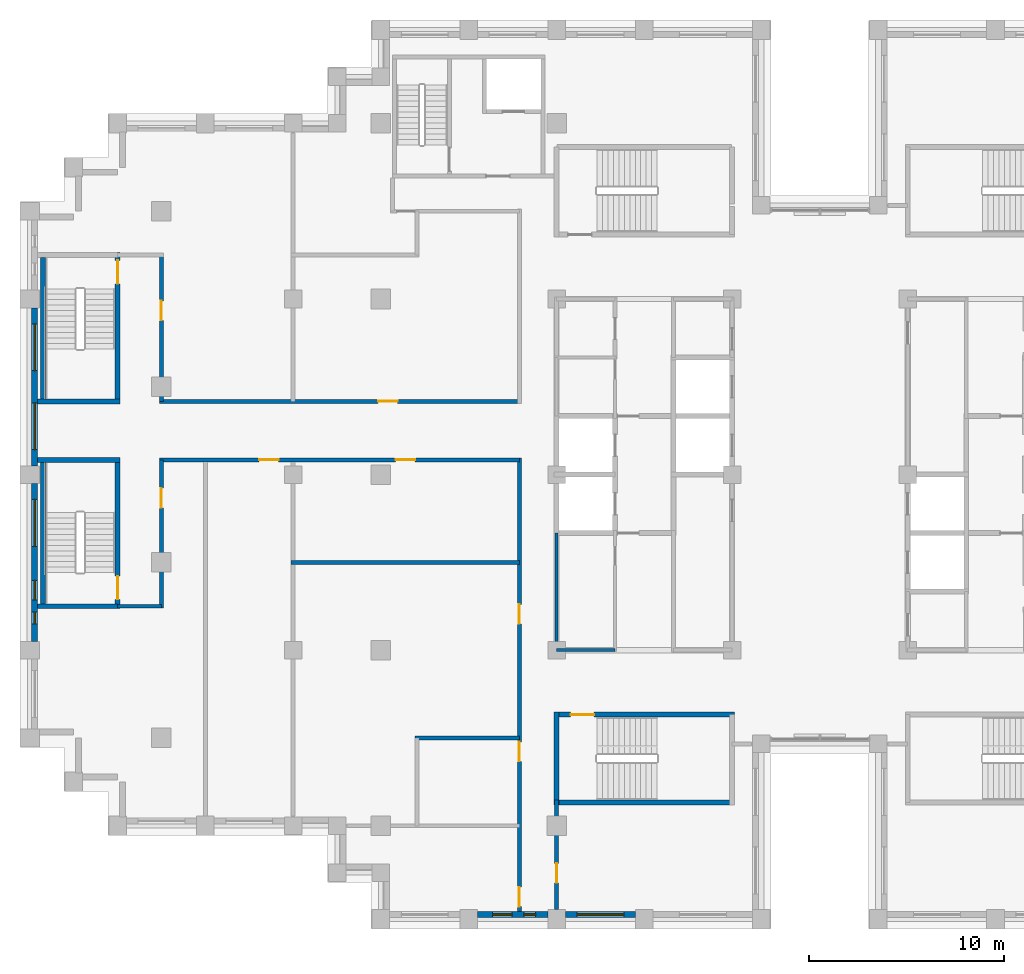
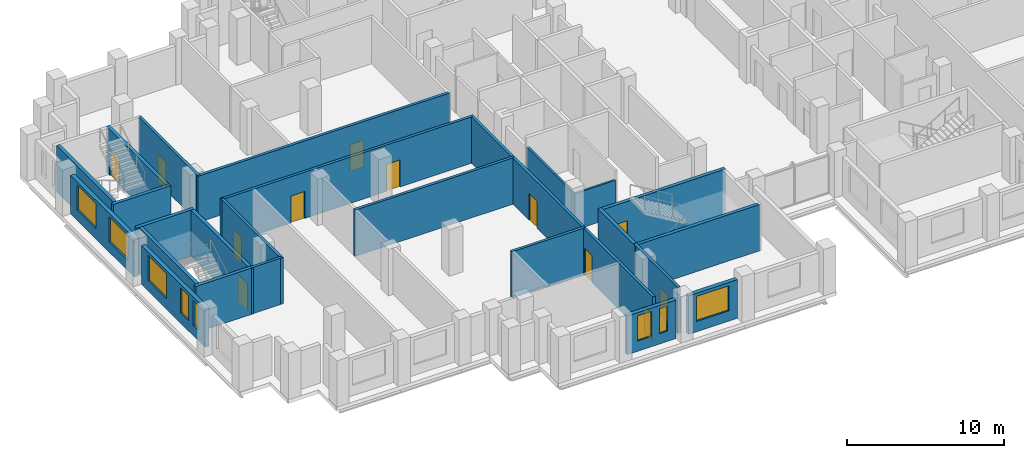
# One storey, part 6 of 15: 25 walls, 12 doors, 8 windows, 20 openings.
"""IFC4 building model written with IfcOpenShell, lengths in metres."""

import ifcopenshell
import ifcopenshell.guid

model = None  # the IFC model being written
_history = None  # IfcOwnerHistory: only IFC2X3 demands one
_inside = {}  # id of a spatial element -> (the spatial element, [elements in it])
_under = {}  # id of a project, library or spatial element -> (it, [spatial elements below it])
_declared = {}  # id of a project -> (the project, [libraries it declares])
_typed = {}  # id of a type object -> (the type object, [elements of that type])
_made_of = {}  # id of a material, layer set ... -> (it, [elements and type objects made of it])


def new_model(schema):
    """Start an empty IFC model of exactly this schema.

    Asked for "IFC4X3", IfcOpenShell would pick the latest addendum, in which some entities
    have other attributes; the version numbers below select the first issue.
    IFC2X3 requires an IfcOwnerHistory on every rooted entity: one is made here for all.
    """
    global model, _history
    if schema == "IFC4X3":
        model = ifcopenshell.file(schema_version=(4, 3, 0, 0))
    else:
        model = ifcopenshell.file(schema=schema)
    _inside.clear()
    _under.clear()
    _declared.clear()
    _typed.clear()
    _made_of.clear()
    _history = None
    if model.schema == "IFC2X3":
        org = make("IfcOrganization", Name="unknown")
        user = make(
            "IfcPersonAndOrganization",
            ThePerson=make("IfcPerson", FamilyName="unknown"),
            TheOrganization=org,
        )
        app = make(
            "IfcApplication",
            ApplicationDeveloper=org,
            Version="unknown",
            ApplicationFullName="unknown",
            ApplicationIdentifier="unknown",
        )
        _history = make(
            "IfcOwnerHistory",
            OwningUser=user,
            OwningApplication=app,
            ChangeAction="ADDED",
            CreationDate=0,
        )
    return model


def make(cls, **values):
    """One entity of the class cls with the attributes given. An attribute that is None is left unset."""
    return model.create_entity(
        cls, **{name: value for name, value in values.items() if value is not None}
    )


def rooted(cls, **values):
    """An entity with a GlobalId (a new one), such as an element, a storey or a relation."""
    return make(cls, GlobalId=ifcopenshell.guid.new(), OwnerHistory=_history, **values)


def si_unit(unit_type, name, prefix=None):
    """IfcSIUnit, for example si_unit("LENGTHUNIT", "METRE", prefix="MILLI")."""
    return make("IfcSIUnit", UnitType=unit_type, Prefix=prefix, Name=name)


def assignment(units):
    """IfcUnitAssignment: the units of a project."""
    return None if units is None else make("IfcUnitAssignment", Units=units)


def point(xyz):
    """IfcCartesianPoint."""
    return None if xyz is None else make("IfcCartesianPoint", Coordinates=xyz)


def direction(xyz):
    """IfcDirection."""
    return None if xyz is None else make("IfcDirection", DirectionRatios=xyz)


def frame(location, z_axis=None, x_axis=None):
    """IfcAxis2Placement3D, a coordinate frame: its origin and axes. An axis left out is left unset."""
    return make(
        "IfcAxis2Placement3D",
        Location=point(location),
        Axis=direction(z_axis),
        RefDirection=direction(x_axis),
    )


def frame_2d(location, x_axis=None):
    """IfcAxis2Placement2D, a coordinate frame in the plane: its origin and x axis."""
    return make(
        "IfcAxis2Placement2D", Location=point(location), RefDirection=direction(x_axis)
    )


def origin():
    """The frame at (0, 0, 0) with its axes left unset."""
    return frame((0.0, 0.0, 0.0))


def place(relative_to, where):
    """IfcLocalPlacement: puts the frame where relative to a parent placement (None: the world)."""
    return make(
        "IfcLocalPlacement", PlacementRelTo=relative_to, RelativePlacement=where
    )


def context(
    kind, dimensions, precision=None, world=None, true_north=None, identifier=None
):
    """IfcGeometricRepresentationContext, for example the 3D "Model" context."""
    return make(
        "IfcGeometricRepresentationContext",
        ContextIdentifier=identifier,
        ContextType=kind,
        CoordinateSpaceDimension=dimensions,
        Precision=precision,
        WorldCoordinateSystem=world,
        TrueNorth=true_north,
    )


def subcontext(parent, identifier, kind, view, scale=None):
    """IfcGeometricRepresentationSubContext, for example "Body" below "Model"."""
    return make(
        "IfcGeometricRepresentationSubContext",
        ContextIdentifier=identifier,
        ContextType=kind,
        ParentContext=parent,
        TargetScale=scale,
        TargetView=view,
    )


def project(units=None, contexts=None):
    """IfcProject with its units and contexts."""
    return rooted(
        "IfcProject",
        Name="project",
        RepresentationContexts=contexts,
        UnitsInContext=assignment(units),
    )


def spatial(cls, under=None, at=None, **own):
    """A site, building, storey or space (cls), placed at a placement, below another one or the project."""
    s = rooted(cls, ObjectPlacement=at, **own)
    if under is not None:
        _under.setdefault(under.id(), (under, []))[1].append(s)
    return s


def profile(cls, at=None, kind="AREA", **sizes):
    """A parametric profile (cls). Its sizes go by their IFC names, for example OverallWidth=200.0."""
    return make(cls, ProfileType=kind, Position=at, **sizes)


def rectangle(**sizes):
    """IfcRectangleProfileDef."""
    return profile("IfcRectangleProfileDef", **sizes)


def extrude(swept, where, along, depth):
    """IfcExtrudedAreaSolid: the profile swept, set in the frame where, extruded along a direction by depth."""
    return make(
        "IfcExtrudedAreaSolid",
        SweptArea=swept,
        Position=where,
        ExtrudedDirection=direction(along),
        Depth=depth,
    )


def shape(context_of_items, identifier, shape_type, items):
    """IfcShapeRepresentation: the items that make up one representation, for example the "Body"."""
    return make(
        "IfcShapeRepresentation",
        ContextOfItems=context_of_items,
        RepresentationIdentifier=identifier,
        RepresentationType=shape_type,
        Items=items,
    )


def material(Name=None, Category=None):
    """IfcMaterial."""
    return make("IfcMaterial", Name=Name, Category=Category)


def layer(
    of_material, thickness, ventilated=None, Name=None, Category=None, Priority=None
):
    """IfcMaterialLayer: one layer of a wall or slab, of a material (None: an air gap)."""
    return make(
        "IfcMaterialLayer",
        Material=of_material,
        LayerThickness=thickness,
        IsVentilated=ventilated,
        Name=Name,
        Category=Category,
        Priority=Priority,
    )


def layer_set(layers, Name=None):
    """IfcMaterialLayerSet."""
    return make("IfcMaterialLayerSet", MaterialLayers=layers, LayerSetName=Name)


def made_of(thing, what):
    """Note that an element or type object is made of a material, layer set ...; save() writes the relation."""
    if what is not None:
        _made_of.setdefault(what.id(), (what, []))[1].append(thing)
    return thing


def type_object(cls, material=None, **own):
    """A type object (cls), such as IfcWallType, which elements share."""
    return made_of(rooted(cls, **own), material)


def element(
    cls,
    number,
    at=None,
    inside=None,
    cuts=None,
    type_object=None,
    material=None,
    context=None,
    identifier="Body",
    shape_type=None,
    held_by="IfcProductDefinitionShape",
    body=None,
    shapes=None,
    **own,
):
    """One element of the class cls, such as IfcWall. Its Tag is "e" and its number.

    at: its placement. inside: the storey or other place that contains it. cuts: it is an
    opening in that element (IfcRelVoidsElement). A single representation is given by context,
    identifier, shape_type and body (its items); several are given by shapes. held_by: the class
    of the entity that holds the representations. save() writes the other relations.
    """
    e = rooted(cls, Tag="e%d" % number, ObjectPlacement=at, **own)
    if body is not None:
        shapes = [shape(context, identifier, shape_type, body)]
    if shapes is not None:
        e.Representation = make(held_by, Representations=shapes)
    if inside is not None:
        _inside.setdefault(inside.id(), (inside, []))[1].append(e)
    if cuts is not None:
        rooted(
            "IfcRelVoidsElement", RelatingBuildingElement=cuts, RelatedOpeningElement=e
        )
    if type_object is not None:
        _typed.setdefault(type_object.id(), (type_object, []))[1].append(e)
    return made_of(e, material)


def fill(opening, filler):
    """IfcRelFillsElement: the door or window that sits in an opening."""
    return rooted(
        "IfcRelFillsElement",
        RelatingOpeningElement=opening,
        RelatedBuildingElement=filler,
    )


def aggregate(whole, parts):
    """IfcRelAggregates: a whole, such as a stair, and the parts it consists of."""
    return rooted("IfcRelAggregates", RelatingObject=whole, RelatedObjects=parts)


def save(model, path):
    """Write the relations noted so far, then the file.

    IfcRelAggregates (storeys below a building ...), IfcRelContainedInSpatialStructure (elements
    in a storey), IfcRelDefinesByType, IfcRelAssociatesMaterial and IfcRelDeclares: one each for
    every whole, place, type object, material and project.
    """
    for whole, parts in _under.values():
        aggregate(whole, parts)
    for where, things in _inside.values():
        rooted(
            "IfcRelContainedInSpatialStructure",
            RelatedElements=things,
            RelatingStructure=where,
        )
    for kind, things in _typed.values():
        rooted("IfcRelDefinesByType", RelatedObjects=things, RelatingType=kind)
    for what, things in _made_of.values():
        rooted("IfcRelAssociatesMaterial", RelatedObjects=things, RelatingMaterial=what)
    for by, libraries in _declared.values():
        rooted("IfcRelDeclares", RelatingContext=by, RelatedDefinitions=libraries)
    model.write(path)


model = new_model("IFC4")

# Units and contexts
model_context = context("Model", 3, precision=1e-05, world=origin(), true_north=direction((0.0, 1.0)))
body_context = subcontext(model_context, "Body", "Model", "MODEL_VIEW")
ifc_project = project(units=[si_unit("LENGTHUNIT", "METRE"), si_unit("AREAUNIT", "SQUARE_METRE"), si_unit("VOLUMEUNIT", "CUBIC_METRE"), si_unit("PLANEANGLEUNIT", "RADIAN"), si_unit("MASSUNIT", "GRAM", prefix="KILO")], contexts=[model_context])

# Site, building, storey
site_placement = place(None, origin())
site = spatial("IfcSite", under=ifc_project, at=site_placement, CompositionType="ELEMENT")
building_placement = place(site_placement, origin())
building = spatial("IfcBuilding", under=site, at=building_placement, Name="Corbelhall Arena Tower", CompositionType="ELEMENT")
storey_placement = place(building_placement, frame((0.0, 0.0, 232.0)))
storey = spatial("IfcBuildingStorey", under=building, at=storey_placement, Name="L49", CompositionType="ELEMENT", Elevation=232.0)

# Wall, openings, windows
ifc_material_1 = material(Name="Precast concrete C40/50 with granite facing", Category="masonry")
ifc_layer_1 = layer(ifc_material_1, 0.300048828125)
ifc_layer_set_1 = layer_set([ifc_layer_1], Name="EV-IW1 Infill panel 300")
wall_type_1 = type_object("IfcWallType", Name="EV-IW1 Infill panel 300", PredefinedType="SOLIDWALL", material=ifc_layer_set_1)
wall_1_placement = place(storey_placement, frame((-40.25, 8.550048828125, 0.0), z_axis=(0.0, 0.0, 1.0), x_axis=(0.0, -1.0, 0.0)))
wall_1 = element("IfcWall", 1, at=wall_1_placement, inside=storey, type_object=wall_type_1, Name="Infill panel IW1", PredefinedType="SOLIDWALL", context=body_context, shape_type="SweptSolid", body=[
    extrude(rectangle(XDim=8.10009765625, YDim=0.300048828125, at=frame_2d((4.050048828125, 0.0))), origin(), (0.0, 0.0, 1.0), 2.99951171875),
])
opening_1_placement = place(wall_1_placement, frame((0.824951171875, 0.0, 0.800048828125)))
opening_1 = element("IfcOpeningElement", 2, at=opening_1_placement, cuts=wall_1, Name="Opening WN1", PredefinedType="OPENING", context=body_context, shape_type="SweptSolid", body=[
    extrude(rectangle(XDim=2.39990234375, YDim=1.949951171875, at=frame_2d((1.199951171875, 0.97509765625))), frame((0.0, 0.14990234375, 0.0), z_axis=(0.0, -1.0, 0.0), x_axis=(1.0, 0.0, 0.0)), (0.0, 0.0, 1.0), 0.300048828125),
])
opening_2_placement = place(wall_1_placement, frame((4.875, 0.0, 0.800048828125)))
opening_2 = element("IfcOpeningElement", 3, at=opening_2_placement, cuts=wall_1, Name="Opening WN1", PredefinedType="OPENING", context=body_context, shape_type="SweptSolid", body=[
    extrude(rectangle(XDim=2.39990234375, YDim=1.949951171875, at=frame_2d((1.199951171875, 0.97509765625))), frame((0.0, 0.14990234375, 0.0), z_axis=(0.0, -1.0, 0.0), x_axis=(1.0, 0.0, 0.0)), (0.0, 0.0, 1.0), 0.300048828125),
])
ifc_material_2 = material(Name="Aluminium black anodised", Category="aluminium")
window_type_1 = type_object("IfcWindowType", Name="EV-WN1 Office window", PartitioningType="SINGLE_PANEL", PredefinedType="WINDOW", material=ifc_material_2)
window_1_placement = place(opening_1_placement, origin())
window_1 = element("IfcWindow", 4, at=window_1_placement, inside=storey, type_object=window_type_1, Name="Window WN1", OverallHeight=1.949951171875, OverallWidth=2.39990234375, PartitioningType="SINGLE_PANEL", PredefinedType="WINDOW", context=body_context, shape_type="SweptSolid", body=[
    extrude(rectangle(XDim=2.39990234375, YDim=1.949951171875, at=frame_2d((1.199951171875, 0.97509765625))), frame((0.0, 0.030029296875, 0.0), z_axis=(0.0, -1.0, 0.0), x_axis=(1.0, 0.0, 0.0)), (0.0, 0.0, 1.0), 0.06005859375),
])
fill(opening_1, window_1)
window_2_placement = place(opening_2_placement, origin())
window_2 = element("IfcWindow", 5, at=window_2_placement, inside=storey, type_object=window_type_1, Name="Window WN1", OverallHeight=1.949951171875, OverallWidth=2.39990234375, PartitioningType="SINGLE_PANEL", PredefinedType="WINDOW", context=body_context, shape_type="SweptSolid", body=[
    extrude(rectangle(XDim=2.39990234375, YDim=1.949951171875, at=frame_2d((1.199951171875, 0.97509765625))), frame((0.0, 0.030029296875, 0.0), z_axis=(0.0, -1.0, 0.0), x_axis=(1.0, 0.0, 0.0)), (0.0, 0.0, 1.0), 0.06005859375),
])
fill(opening_2, window_2)

wall_2_placement = place(storey_placement, frame((-40.25, -0.449951171875, 0.0), z_axis=(0.0, 0.0, 1.0), x_axis=(0.0, -1.0, 0.0)))
wall_2 = element("IfcWall", 6, at=wall_2_placement, inside=storey, type_object=wall_type_1, Name="Infill panel IW1", PredefinedType="SOLIDWALL", context=body_context, shape_type="SweptSolid", body=[
    extrude(rectangle(XDim=8.10009765625, YDim=0.300048828125, at=frame_2d((4.050048828125, 0.0))), origin(), (0.0, 0.0, 1.0), 2.99951171875),
])
opening_3_placement = place(wall_2_placement, frame((0.824951171875, 0.0, 0.800048828125)))
opening_3 = element("IfcOpeningElement", 7, at=opening_3_placement, cuts=wall_2, Name="Opening WN1", PredefinedType="OPENING", context=body_context, shape_type="SweptSolid", body=[
    extrude(rectangle(XDim=2.39990234375, YDim=1.949951171875, at=frame_2d((1.199951171875, 0.97509765625))), frame((0.0, 0.14990234375, 0.0), z_axis=(0.0, -1.0, 0.0), x_axis=(1.0, 0.0, 0.0)), (0.0, 0.0, 1.0), 0.300048828125),
])
opening_4_placement = place(wall_2_placement, frame((4.97509765625, 0.0, 0.800048828125)))
opening_4 = element("IfcOpeningElement", 8, at=opening_4_placement, cuts=wall_2, Name="Opening WN6", PredefinedType="OPENING", context=body_context, shape_type="SweptSolid", body=[
    extrude(rectangle(XDim=1.0, YDim=1.949951171875, at=frame_2d((0.5, 0.97509765625))), frame((0.0, 0.14990234375, 0.0), z_axis=(0.0, -1.0, 0.0), x_axis=(1.0, 0.0, 0.0)), (0.0, 0.0, 1.0), 0.300048828125),
])
opening_5_placement = place(wall_2_placement, frame((6.60009765625, 0.0, 0.800048828125)))
opening_5 = element("IfcOpeningElement", 9, at=opening_5_placement, cuts=wall_2, Name="Opening WN5", PredefinedType="OPENING", context=body_context, shape_type="SweptSolid", body=[
    extrude(rectangle(XDim=0.60009765625, YDim=1.949951171875, at=frame_2d((0.300048828125, 0.97509765625))), frame((0.0, 0.14990234375, 0.0), z_axis=(0.0, -1.0, 0.0), x_axis=(1.0, 0.0, 0.0)), (0.0, 0.0, 1.0), 0.300048828125),
])
window_3_placement = place(opening_3_placement, origin())
window_3 = element("IfcWindow", 10, at=window_3_placement, inside=storey, type_object=window_type_1, Name="Window WN1", OverallHeight=1.949951171875, OverallWidth=2.39990234375, PartitioningType="SINGLE_PANEL", PredefinedType="WINDOW", context=body_context, shape_type="SweptSolid", body=[
    extrude(rectangle(XDim=2.39990234375, YDim=1.949951171875, at=frame_2d((1.199951171875, 0.97509765625))), frame((0.0, 0.030029296875, 0.0), z_axis=(0.0, -1.0, 0.0), x_axis=(1.0, 0.0, 0.0)), (0.0, 0.0, 1.0), 0.06005859375),
])
fill(opening_3, window_3)
window_type_2 = type_object("IfcWindowType", Name="EV-WN5 Office window 600", PartitioningType="SINGLE_PANEL", PredefinedType="WINDOW", material=ifc_material_2)
window_4_placement = place(opening_5_placement, origin())
window_4 = element("IfcWindow", 11, at=window_4_placement, inside=storey, type_object=window_type_2, Name="Window WN5", OverallHeight=1.949951171875, OverallWidth=0.60009765625, PartitioningType="SINGLE_PANEL", PredefinedType="WINDOW", context=body_context, shape_type="SweptSolid", body=[
    extrude(rectangle(XDim=0.60009765625, YDim=1.949951171875, at=frame_2d((0.300048828125, 0.97509765625))), frame((0.0, 0.030029296875, 0.0), z_axis=(0.0, -1.0, 0.0), x_axis=(1.0, 0.0, 0.0)), (0.0, 0.0, 1.0), 0.06005859375),
])
fill(opening_5, window_4)
window_type_3 = type_object("IfcWindowType", Name="EV-WN6 Office window 1000", PartitioningType="SINGLE_PANEL", PredefinedType="WINDOW", material=ifc_material_2)
window_5_placement = place(opening_4_placement, origin())
window_5 = element("IfcWindow", 12, at=window_5_placement, inside=storey, type_object=window_type_3, Name="Window WN6", OverallHeight=1.949951171875, OverallWidth=1.0, PartitioningType="SINGLE_PANEL", PredefinedType="WINDOW", context=body_context, shape_type="SweptSolid", body=[
    extrude(rectangle(XDim=1.0, YDim=1.949951171875, at=frame_2d((0.5, 0.97509765625))), frame((0.0, 0.030029296875, 0.0), z_axis=(0.0, -1.0, 0.0), x_axis=(1.0, 0.0, 0.0)), (0.0, 0.0, 1.0), 0.06005859375),
])
fill(opening_4, window_5)

wall_3_placement = place(storey_placement, frame((-17.550048828125, -22.550048828125, 0.0), z_axis=(0.0, 0.0, 1.0), x_axis=(1.0, 0.0, 0.0)))
wall_3 = element("IfcWall", 13, at=wall_3_placement, inside=storey, type_object=wall_type_1, Name="Infill panel IW1", PredefinedType="SOLIDWALL", context=body_context, shape_type="SweptSolid", body=[
    extrude(rectangle(XDim=3.60009765625, YDim=0.300048828125, at=frame_2d((1.800048828125, 0.0))), origin(), (0.0, 0.0, 1.0), 2.99951171875),
])
opening_6_placement = place(wall_3_placement, frame((0.77490234375, 0.0, 0.800048828125)))
opening_6 = element("IfcOpeningElement", 14, at=opening_6_placement, cuts=wall_3, Name="Opening WN6", PredefinedType="OPENING", context=body_context, shape_type="SweptSolid", body=[
    extrude(rectangle(XDim=1.0, YDim=1.949951171875, at=frame_2d((0.5, 0.97509765625))), frame((0.0, 0.14990234375, 0.0), z_axis=(0.0, -1.0, 0.0), x_axis=(1.0, 0.0, 0.0)), (0.0, 0.0, 1.0), 0.300048828125),
])
opening_7_placement = place(wall_3_placement, frame((2.375, 0.0, 0.800048828125)))
opening_7 = element("IfcOpeningElement", 15, at=opening_7_placement, cuts=wall_3, Name="Opening WN5", PredefinedType="OPENING", context=body_context, shape_type="SweptSolid", body=[
    extrude(rectangle(XDim=0.60009765625, YDim=1.949951171875, at=frame_2d((0.300048828125, 0.97509765625))), frame((0.0, 0.14990234375, 0.0), z_axis=(0.0, -1.0, 0.0), x_axis=(1.0, 0.0, 0.0)), (0.0, 0.0, 1.0), 0.300048828125),
])
window_6_placement = place(opening_7_placement, origin())
window_6 = element("IfcWindow", 16, at=window_6_placement, inside=storey, type_object=window_type_2, Name="Window WN5", OverallHeight=1.949951171875, OverallWidth=0.60009765625, PartitioningType="SINGLE_PANEL", PredefinedType="WINDOW", context=body_context, shape_type="SweptSolid", body=[
    extrude(rectangle(XDim=0.60009765625, YDim=1.949951171875, at=frame_2d((0.300048828125, 0.97509765625))), frame((0.0, 0.030029296875, 0.0), z_axis=(0.0, -1.0, 0.0), x_axis=(1.0, 0.0, 0.0)), (0.0, 0.0, 1.0), 0.06005859375),
])
fill(opening_7, window_6)
window_7_placement = place(opening_6_placement, origin())
window_7 = element("IfcWindow", 17, at=window_7_placement, inside=storey, type_object=window_type_3, Name="Window WN6", OverallHeight=1.949951171875, OverallWidth=1.0, PartitioningType="SINGLE_PANEL", PredefinedType="WINDOW", context=body_context, shape_type="SweptSolid", body=[
    extrude(rectangle(XDim=1.0, YDim=1.949951171875, at=frame_2d((0.5, 0.97509765625))), frame((0.0, 0.030029296875, 0.0), z_axis=(0.0, -1.0, 0.0), x_axis=(1.0, 0.0, 0.0)), (0.0, 0.0, 1.0), 0.06005859375),
])
fill(opening_6, window_7)

# Wall, opening, window
wall_4_placement = place(storey_placement, frame((-13.050048828125, -22.550048828125, 0.0), z_axis=(0.0, 0.0, 1.0), x_axis=(1.0, 0.0, 0.0)))
wall_4 = element("IfcWall", 18, at=wall_4_placement, inside=storey, type_object=wall_type_1, Name="Infill panel IW1", PredefinedType="SOLIDWALL", context=body_context, shape_type="SweptSolid", body=[
    extrude(rectangle(XDim=3.60009765625, YDim=0.300048828125, at=frame_2d((1.800048828125, 0.0))), origin(), (0.0, 0.0, 1.0), 2.99951171875),
])
opening_8_placement = place(wall_4_placement, frame((0.60009765625, 0.0, 0.800048828125)))
opening_8 = element("IfcOpeningElement", 19, at=opening_8_placement, cuts=wall_4, Name="Opening WN1", PredefinedType="OPENING", context=body_context, shape_type="SweptSolid", body=[
    extrude(rectangle(XDim=2.39990234375, YDim=1.949951171875, at=frame_2d((1.199951171875, 0.97509765625))), frame((0.0, 0.14990234375, 0.0), z_axis=(0.0, -1.0, 0.0), x_axis=(1.0, 0.0, 0.0)), (0.0, 0.0, 1.0), 0.300048828125),
])
window_8_placement = place(opening_8_placement, origin())
window_8 = element("IfcWindow", 20, at=window_8_placement, inside=storey, type_object=window_type_1, Name="Window WN1", OverallHeight=1.949951171875, OverallWidth=2.39990234375, PartitioningType="SINGLE_PANEL", PredefinedType="WINDOW", context=body_context, shape_type="SweptSolid", body=[
    extrude(rectangle(XDim=2.39990234375, YDim=1.949951171875, at=frame_2d((1.199951171875, 0.97509765625))), frame((0.0, 0.030029296875, 0.0), z_axis=(0.0, -1.0, 0.0), x_axis=(1.0, 0.0, 0.0)), (0.0, 0.0, 1.0), 0.06005859375),
])
fill(opening_8, window_8)

# Wall, opening, door
ifc_material_3 = material(Name="Gypsum board on steel stud, acoustic", Category="steel")
ifc_layer_2 = layer(ifc_material_3, 0.199951171875)
ifc_layer_set_2 = layer_set([ifc_layer_2], Name="IN-W-DM200")
wall_type_2 = type_object("IfcWallType", Name="IN-W-DM200", PredefinedType="PARTITIONING", material=ifc_layer_set_2)
wall_5_placement = place(storey_placement, frame((-33.85009765625, 3.75, 0.0), z_axis=(0.0, 0.0, 1.0), x_axis=(1.0, 0.0, 0.0)))
wall_5 = element("IfcWall", 21, at=wall_5_placement, inside=storey, type_object=wall_type_2, Name="Partition 002", PredefinedType="PARTITIONING", context=body_context, shape_type="SweptSolid", body=[
    extrude(rectangle(XDim=18.4501953125, YDim=0.199951171875, at=frame_2d((9.22509765625, 0.0))), origin(), (0.0, 0.0, 1.0), 3.599609375),
])
opening_9_placement = place(wall_5_placement, frame((11.199951171875, 0.0, 0.0)))
opening_9 = element("IfcOpeningElement", 22, at=opening_9_placement, cuts=wall_5, Name="Opening 15024", PredefinedType="OPENING", context=body_context, shape_type="SweptSolid", body=[
    extrude(rectangle(XDim=1.0, YDim=2.10009765625, at=frame_2d((0.5, 1.050048828125))), frame((0.0, 0.10009765625, 0.0), z_axis=(0.0, -1.0, 0.0), x_axis=(1.0, 0.0, 0.0)), (0.0, 0.0, 1.0), 0.199951171875),
])
ifc_material_4 = material(Name="Steel door set", Category="steel")
door_type_1 = type_object("IfcDoorType", Name="IN-D-SW100", OperationType="NOTDEFINED", PredefinedType="DOOR", material=ifc_material_4)
door_1_placement = place(opening_9_placement, origin())
door_1 = element("IfcDoor", 23, at=door_1_placement, inside=storey, type_object=door_type_1, Name="Door 024", OperationType="SINGLE_SWING_LEFT", OverallHeight=2.10009765625, OverallWidth=1.0, PredefinedType="DOOR", context=body_context, shape_type="SweptSolid", body=[
    extrude(rectangle(XDim=1.0, YDim=2.10009765625, at=frame_2d((0.5, 1.050048828125))), frame((0.0, 0.02490234375, 0.0), z_axis=(0.0, -1.0, 0.0), x_axis=(1.0, 0.0, 0.0)), (0.0, 0.0, 1.0), 0.050048828125),
])
fill(opening_9, door_1)

# Wall
wall_6_placement = place(storey_placement, frame((-33.75, -6.75, 0.0), z_axis=(0.0, 0.0, 1.0), x_axis=(-1.0, 0.0, 0.0)))
element("IfcWall", 24, at=wall_6_placement, inside=storey, type_object=wall_type_2, Name="Partition 003", PredefinedType="PARTITIONING", context=body_context, shape_type="SweptSolid", body=[
    extrude(rectangle(XDim=2.25, YDim=0.199951171875, at=frame_2d((1.125, 0.0))), origin(), (0.0, 0.0, 1.0), 3.599609375),
])

# Wall, opening, door
wall_7_placement = place(storey_placement, frame((-33.75, 0.75, 0.0), z_axis=(0.0, 0.0, 1.0), x_axis=(0.0, -1.0, 0.0)))
wall_7 = element("IfcWall", 25, at=wall_7_placement, inside=storey, type_object=wall_type_2, Name="Partition 004", PredefinedType="PARTITIONING", context=body_context, shape_type="SweptSolid", body=[
    extrude(rectangle(XDim=7.60009765625, YDim=0.199951171875, at=frame_2d((3.800048828125, 0.0))), origin(), (0.0, 0.0, 1.0), 3.599609375),
])
opening_10_placement = place(wall_7_placement, frame((1.449951171875, 0.0, 0.0)))
opening_10 = element("IfcOpeningElement", 26, at=opening_10_placement, cuts=wall_7, Name="Opening 15038", PredefinedType="OPENING", context=body_context, shape_type="SweptSolid", body=[
    extrude(rectangle(XDim=1.0, YDim=2.10009765625, at=frame_2d((0.5, 1.050048828125))), frame((0.0, 0.10009765625, 0.0), z_axis=(0.0, -1.0, 0.0), x_axis=(1.0, 0.0, 0.0)), (0.0, 0.0, 1.0), 0.199951171875),
])
door_2_placement = place(opening_10_placement, origin())
door_2 = element("IfcDoor", 27, at=door_2_placement, inside=storey, type_object=door_type_1, Name="Door 038", OperationType="SINGLE_SWING_LEFT", OverallHeight=2.10009765625, OverallWidth=1.0, PredefinedType="DOOR", context=body_context, shape_type="SweptSolid", body=[
    extrude(rectangle(XDim=1.0, YDim=2.10009765625, at=frame_2d((0.5, 1.050048828125))), frame((0.0, 0.02490234375, 0.0), z_axis=(0.0, -1.0, 0.0), x_axis=(1.0, 0.0, 0.0)), (0.0, 0.0, 1.0), 0.050048828125),
])
fill(opening_10, door_2)

wall_8_placement = place(storey_placement, frame((-33.75, 11.25, 0.0), z_axis=(0.0, 0.0, 1.0), x_axis=(0.0, -1.0, 0.0)))
wall_8 = element("IfcWall", 28, at=wall_8_placement, inside=storey, type_object=wall_type_2, Name="Partition 005", PredefinedType="PARTITIONING", context=body_context, shape_type="SweptSolid", body=[
    extrude(rectangle(XDim=7.5, YDim=0.199951171875, at=frame_2d((3.75, 0.0))), origin(), (0.0, 0.0, 1.0), 3.599609375),
])
opening_11_placement = place(wall_8_placement, frame((2.35009765625, 0.0, 0.0)))
opening_11 = element("IfcOpeningElement", 29, at=opening_11_placement, cuts=wall_8, Name="Opening 15037", PredefinedType="OPENING", context=body_context, shape_type="SweptSolid", body=[
    extrude(rectangle(XDim=1.0, YDim=2.10009765625, at=frame_2d((0.5, 1.050048828125))), frame((0.0, 0.10009765625, 0.0), z_axis=(0.0, -1.0, 0.0), x_axis=(1.0, 0.0, 0.0)), (0.0, 0.0, 1.0), 0.199951171875),
])
door_3_placement = place(opening_11_placement, origin())
door_3 = element("IfcDoor", 30, at=door_3_placement, inside=storey, type_object=door_type_1, Name="Door 037", OperationType="SINGLE_SWING_RIGHT", OverallHeight=2.10009765625, OverallWidth=1.0, PredefinedType="DOOR", context=body_context, shape_type="SweptSolid", body=[
    extrude(rectangle(XDim=1.0, YDim=2.10009765625, at=frame_2d((0.5, 1.050048828125))), frame((0.0, 0.02490234375, 0.0), z_axis=(0.0, -1.0, 0.0), x_axis=(1.0, 0.0, 0.0)), (0.0, 0.0, 1.0), 0.050048828125),
])
fill(opening_11, door_3)

# Wall, openings, doors
wall_9_placement = place(storey_placement, frame((-15.39990234375, 0.75, 0.0), z_axis=(0.0, 0.0, 1.0), x_axis=(-1.0, 0.0, 0.0)))
wall_9 = element("IfcWall", 31, at=wall_9_placement, inside=storey, type_object=wall_type_2, Name="Partition 007", PredefinedType="PARTITIONING", context=body_context, shape_type="SweptSolid", body=[
    extrude(rectangle(XDim=18.4501953125, YDim=0.199951171875, at=frame_2d((9.22509765625, 0.0))), origin(), (0.0, 0.0, 1.0), 3.599609375),
])
opening_12_placement = place(wall_9_placement, frame((5.35009765625, 0.0, 0.0)))
opening_12 = element("IfcOpeningElement", 32, at=opening_12_placement, cuts=wall_9, Name="Opening 15028", PredefinedType="OPENING", context=body_context, shape_type="SweptSolid", body=[
    extrude(rectangle(XDim=1.0, YDim=2.10009765625, at=frame_2d((0.5, 1.050048828125))), frame((0.0, 0.10009765625, 0.0), z_axis=(0.0, -1.0, 0.0), x_axis=(1.0, 0.0, 0.0)), (0.0, 0.0, 1.0), 0.199951171875),
])
opening_13_placement = place(wall_9_placement, frame((12.35009765625, 0.0, 0.0)))
opening_13 = element("IfcOpeningElement", 33, at=opening_13_placement, cuts=wall_9, Name="Opening 15039", PredefinedType="OPENING", context=body_context, shape_type="SweptSolid", body=[
    extrude(rectangle(XDim=1.0, YDim=2.10009765625, at=frame_2d((0.5, 1.050048828125))), frame((0.0, 0.10009765625, 0.0), z_axis=(0.0, -1.0, 0.0), x_axis=(1.0, 0.0, 0.0)), (0.0, 0.0, 1.0), 0.199951171875),
])
door_4_placement = place(opening_12_placement, origin())
door_4 = element("IfcDoor", 34, at=door_4_placement, inside=storey, type_object=door_type_1, Name="Door 028", OperationType="SINGLE_SWING_LEFT", OverallHeight=2.10009765625, OverallWidth=1.0, PredefinedType="DOOR", context=body_context, shape_type="SweptSolid", body=[
    extrude(rectangle(XDim=1.0, YDim=2.10009765625, at=frame_2d((0.5, 1.050048828125))), frame((0.0, 0.02490234375, 0.0), z_axis=(0.0, -1.0, 0.0), x_axis=(1.0, 0.0, 0.0)), (0.0, 0.0, 1.0), 0.050048828125),
])
fill(opening_12, door_4)
door_5_placement = place(opening_13_placement, origin())
door_5 = element("IfcDoor", 35, at=door_5_placement, inside=storey, type_object=door_type_1, Name="Door 039", OperationType="SINGLE_SWING_RIGHT", OverallHeight=2.10009765625, OverallWidth=1.0, PredefinedType="DOOR", context=body_context, shape_type="SweptSolid", body=[
    extrude(rectangle(XDim=1.0, YDim=2.10009765625, at=frame_2d((0.5, 1.050048828125))), frame((0.0, 0.02490234375, 0.0), z_axis=(0.0, -1.0, 0.0), x_axis=(1.0, 0.0, 0.0)), (0.0, 0.0, 1.0), 0.050048828125),
])
fill(opening_13, door_5)

# Walls
wall_10_placement = place(storey_placement, frame((-27.10009765625, -4.5, 0.0), z_axis=(0.0, 0.0, 1.0), x_axis=(1.0, 0.0, 0.0)))
element("IfcWall", 36, at=wall_10_placement, inside=storey, type_object=wall_type_2, Name="Partition 008", PredefinedType="PARTITIONING", context=body_context, shape_type="SweptSolid", body=[
    extrude(rectangle(XDim=11.7001953125, YDim=0.199951171875, at=frame_2d((5.85009765625, 0.0))), origin(), (0.0, 0.0, 1.0), 3.599609375),
])
wall_11_placement = place(storey_placement, frame((-20.75, -13.5, 0.0), z_axis=(0.0, 0.0, 1.0), x_axis=(1.0, 0.0, 0.0)))
element("IfcWall", 37, at=wall_11_placement, inside=storey, type_object=wall_type_2, Name="Partition 014", PredefinedType="PARTITIONING", context=body_context, shape_type="SweptSolid", body=[
    extrude(rectangle(XDim=5.35009765625, YDim=0.199951171875, at=frame_2d((2.675048828125, 0.0))), origin(), (0.0, 0.0, 1.0), 3.599609375),
])

# Wall, openings, doors
wall_12_placement = place(storey_placement, frame((-15.39990234375, -22.39990234375, 0.0), z_axis=(0.0, 0.0, 1.0), x_axis=(0.0, 1.0, 0.0)))
wall_12 = element("IfcWall", 38, at=wall_12_placement, inside=storey, type_object=wall_type_2, Name="Partition 018", PredefinedType="PARTITIONING", context=body_context, shape_type="SweptSolid", body=[
    extrude(rectangle(XDim=23.25, YDim=0.199951171875, at=frame_2d((11.625, 0.0))), origin(), (0.0, 0.0, 1.0), 3.599609375),
])
opening_14_placement = place(wall_12_placement, frame((0.25, 0.0, 0.0)))
opening_14 = element("IfcOpeningElement", 39, at=opening_14_placement, cuts=wall_12, Name="Opening 15025", PredefinedType="OPENING", context=body_context, shape_type="SweptSolid", body=[
    extrude(rectangle(XDim=1.0, YDim=2.10009765625, at=frame_2d((0.5, 1.050048828125))), frame((0.0, 0.10009765625, 0.0), z_axis=(0.0, -1.0, 0.0), x_axis=(1.0, 0.0, 0.0)), (0.0, 0.0, 1.0), 0.199951171875),
])
opening_15_placement = place(wall_12_placement, frame((7.699951171875, 0.0, 0.0)))
opening_15 = element("IfcOpeningElement", 40, at=opening_15_placement, cuts=wall_12, Name="Opening 15026", PredefinedType="OPENING", context=body_context, shape_type="SweptSolid", body=[
    extrude(rectangle(XDim=1.0, YDim=2.10009765625, at=frame_2d((0.5, 1.050048828125))), frame((0.0, 0.10009765625, 0.0), z_axis=(0.0, -1.0, 0.0), x_axis=(1.0, 0.0, 0.0)), (0.0, 0.0, 1.0), 0.199951171875),
])
opening_16_placement = place(wall_12_placement, frame((14.75, 0.0, 0.0)))
opening_16 = element("IfcOpeningElement", 41, at=opening_16_placement, cuts=wall_12, Name="Opening 15027", PredefinedType="OPENING", context=body_context, shape_type="SweptSolid", body=[
    extrude(rectangle(XDim=1.0, YDim=2.10009765625, at=frame_2d((0.5, 1.050048828125))), frame((0.0, 0.10009765625, 0.0), z_axis=(0.0, -1.0, 0.0), x_axis=(1.0, 0.0, 0.0)), (0.0, 0.0, 1.0), 0.199951171875),
])
door_6_placement = place(opening_14_placement, origin())
door_6 = element("IfcDoor", 42, at=door_6_placement, inside=storey, type_object=door_type_1, Name="Door 025", OperationType="SINGLE_SWING_RIGHT", OverallHeight=2.10009765625, OverallWidth=1.0, PredefinedType="DOOR", context=body_context, shape_type="SweptSolid", body=[
    extrude(rectangle(XDim=1.0, YDim=2.10009765625, at=frame_2d((0.5, 1.050048828125))), frame((0.0, 0.02490234375, 0.0), z_axis=(0.0, -1.0, 0.0), x_axis=(1.0, 0.0, 0.0)), (0.0, 0.0, 1.0), 0.050048828125),
])
fill(opening_14, door_6)
door_7_placement = place(opening_15_placement, origin())
door_7 = element("IfcDoor", 43, at=door_7_placement, inside=storey, type_object=door_type_1, Name="Door 026", OperationType="SINGLE_SWING_LEFT", OverallHeight=2.10009765625, OverallWidth=1.0, PredefinedType="DOOR", context=body_context, shape_type="SweptSolid", body=[
    extrude(rectangle(XDim=1.0, YDim=2.10009765625, at=frame_2d((0.5, 1.050048828125))), frame((0.0, 0.02490234375, 0.0), z_axis=(0.0, -1.0, 0.0), x_axis=(1.0, 0.0, 0.0)), (0.0, 0.0, 1.0), 0.050048828125),
])
fill(opening_15, door_7)
door_8_placement = place(opening_16_placement, origin())
door_8 = element("IfcDoor", 44, at=door_8_placement, inside=storey, type_object=door_type_1, Name="Door 027", OperationType="SINGLE_SWING_RIGHT", OverallHeight=2.10009765625, OverallWidth=1.0, PredefinedType="DOOR", context=body_context, shape_type="SweptSolid", body=[
    extrude(rectangle(XDim=1.0, YDim=2.10009765625, at=frame_2d((0.5, 1.050048828125))), frame((0.0, 0.02490234375, 0.0), z_axis=(0.0, -1.0, 0.0), x_axis=(1.0, 0.0, 0.0)), (0.0, 0.0, 1.0), 0.050048828125),
])
fill(opening_16, door_8)

# Wall, opening, door
wall_13_placement = place(storey_placement, frame((-13.5, -16.675048828125, 0.0), z_axis=(0.0, 0.0, 1.0), x_axis=(0.0, -1.0, 0.0)))
wall_13 = element("IfcWall", 45, at=wall_13_placement, inside=storey, type_object=wall_type_2, Name="Partition 020", PredefinedType="PARTITIONING", context=body_context, shape_type="SweptSolid", body=[
    extrude(rectangle(XDim=5.625, YDim=0.199951171875, at=frame_2d((2.8125, 0.0))), origin(), (0.0, 0.0, 1.0), 3.599609375),
])
opening_17_placement = place(wall_13_placement, frame((3.25, 0.0, 0.0)))
opening_17 = element("IfcOpeningElement", 46, at=opening_17_placement, cuts=wall_13, Name="Opening 15022", PredefinedType="OPENING", context=body_context, shape_type="SweptSolid", body=[
    extrude(rectangle(XDim=1.0, YDim=2.10009765625, at=frame_2d((0.5, 1.050048828125))), frame((0.0, 0.10009765625, 0.0), z_axis=(0.0, -1.0, 0.0), x_axis=(1.0, 0.0, 0.0)), (0.0, 0.0, 1.0), 0.199951171875),
])
door_9_placement = place(opening_17_placement, origin())
door_9 = element("IfcDoor", 47, at=door_9_placement, inside=storey, type_object=door_type_1, Name="Door 022", OperationType="SINGLE_SWING_LEFT", OverallHeight=2.10009765625, OverallWidth=1.0, PredefinedType="DOOR", context=body_context, shape_type="SweptSolid", body=[
    extrude(rectangle(XDim=1.0, YDim=2.10009765625, at=frame_2d((0.5, 1.050048828125))), frame((0.0, 0.02490234375, 0.0), z_axis=(0.0, -1.0, 0.0), x_axis=(1.0, 0.0, 0.0)), (0.0, 0.0, 1.0), 0.050048828125),
])
fill(opening_17, door_9)

# Walls
ifc_material_5 = material(Name="Concrete C40/50", Category="concrete")
ifc_layer_3 = layer(ifc_material_5, 0.25)
ifc_layer_set_3 = layer_set([ifc_layer_3], Name="IN-W-ST250")
wall_type_3 = type_object("IfcWallType", Name="IN-W-ST250", PredefinedType="SOLIDWALL", material=ifc_layer_set_3)
wall_14_placement = place(storey_placement, frame((-40.10009765625, 3.75, 0.0), z_axis=(0.0, 0.0, 1.0), x_axis=(1.0, 0.0, 0.0)))
element("IfcWall", 48, at=wall_14_placement, inside=storey, type_object=wall_type_3, Name="Shaft wall 073", PredefinedType="SOLIDWALL", context=body_context, shape_type="SweptSolid", body=[
    extrude(rectangle(XDim=4.22509765625, YDim=0.25, at=frame_2d((2.112548828125, 0.0))), origin(), (0.0, 0.0, 1.0), 3.599609375),
])
wall_15_placement = place(storey_placement, frame((-36.0, -6.75, 0.0), z_axis=(0.0, 0.0, 1.0), x_axis=(-1.0, 0.0, 0.0)))
element("IfcWall", 49, at=wall_15_placement, inside=storey, type_object=wall_type_3, Name="Shaft wall 075", PredefinedType="SOLIDWALL", context=body_context, shape_type="SweptSolid", body=[
    extrude(rectangle(XDim=4.10009765625, YDim=0.25, at=frame_2d((2.050048828125, 0.0))), origin(), (0.0, 0.0, 1.0), 3.599609375),
])

# Wall, opening, door
wall_16_placement = place(storey_placement, frame((-36.0, 0.75, 0.0), z_axis=(0.0, 0.0, 1.0), x_axis=(0.0, -1.0, 0.0)))
wall_16 = element("IfcWall", 50, at=wall_16_placement, inside=storey, type_object=wall_type_3, Name="Shaft wall 076", PredefinedType="SOLIDWALL", context=body_context, shape_type="SweptSolid", body=[
    extrude(rectangle(XDim=7.625, YDim=0.25, at=frame_2d((3.8125, 0.0))), origin(), (0.0, 0.0, 1.0), 3.599609375),
])
opening_18_placement = place(wall_16_placement, frame((5.949951171875, 0.0, 0.0)))
opening_18 = element("IfcOpeningElement", 51, at=opening_18_placement, cuts=wall_16, Name="Opening 15020", PredefinedType="OPENING", context=body_context, shape_type="SweptSolid", body=[
    extrude(rectangle(XDim=1.199951171875, YDim=2.10009765625, at=frame_2d((0.60009765625, 1.050048828125))), frame((0.0, 0.125, 0.0), z_axis=(0.0, -1.0, 0.0), x_axis=(1.0, 0.0, 0.0)), (0.0, 0.0, 1.0), 0.25),
])
door_type_2 = type_object("IfcDoorType", Name="IN-D-ST120", OperationType="NOTDEFINED", PredefinedType="DOOR", material=ifc_material_4)
door_10_placement = place(opening_18_placement, origin())
door_10 = element("IfcDoor", 52, at=door_10_placement, inside=storey, type_object=door_type_2, Name="Door 020", OperationType="SINGLE_SWING_LEFT", OverallHeight=2.10009765625, OverallWidth=1.199951171875, PredefinedType="DOOR", context=body_context, shape_type="SweptSolid", body=[
    extrude(rectangle(XDim=1.199951171875, YDim=2.10009765625, at=frame_2d((0.60009765625, 1.050048828125))), frame((0.0, 0.02490234375, 0.0), z_axis=(0.0, -1.0, 0.0), x_axis=(1.0, 0.0, 0.0)), (0.0, 0.0, 1.0), 0.050048828125),
])
fill(opening_18, door_10)

wall_17_placement = place(storey_placement, frame((-36.0, 11.375, 0.0), z_axis=(0.0, 0.0, 1.0), x_axis=(0.0, -1.0, 0.0)))
wall_17 = element("IfcWall", 53, at=wall_17_placement, inside=storey, type_object=wall_type_3, Name="Shaft wall 077", PredefinedType="SOLIDWALL", context=body_context, shape_type="SweptSolid", body=[
    extrude(rectangle(XDim=7.625, YDim=0.25, at=frame_2d((3.8125, 0.0))), origin(), (0.0, 0.0, 1.0), 3.599609375),
])
opening_19_placement = place(wall_17_placement, frame((0.39990234375, 0.0, 0.0)))
opening_19 = element("IfcOpeningElement", 54, at=opening_19_placement, cuts=wall_17, Name="Opening 15019", PredefinedType="OPENING", context=body_context, shape_type="SweptSolid", body=[
    extrude(rectangle(XDim=1.199951171875, YDim=2.10009765625, at=frame_2d((0.60009765625, 1.050048828125))), frame((0.0, 0.125, 0.0), z_axis=(0.0, -1.0, 0.0), x_axis=(1.0, 0.0, 0.0)), (0.0, 0.0, 1.0), 0.25),
])
door_11_placement = place(opening_19_placement, origin())
door_11 = element("IfcDoor", 55, at=door_11_placement, inside=storey, type_object=door_type_2, Name="Door 019", OperationType="SINGLE_SWING_RIGHT", OverallHeight=2.10009765625, OverallWidth=1.199951171875, PredefinedType="DOOR", context=body_context, shape_type="SweptSolid", body=[
    extrude(rectangle(XDim=1.199951171875, YDim=2.10009765625, at=frame_2d((0.60009765625, 1.050048828125))), frame((0.0, 0.02490234375, 0.0), z_axis=(0.0, -1.0, 0.0), x_axis=(1.0, 0.0, 0.0)), (0.0, 0.0, 1.0), 0.050048828125),
])
fill(opening_19, door_11)

# Walls
wall_18_placement = place(storey_placement, frame((-35.875, 0.75, 0.0), z_axis=(0.0, 0.0, 1.0), x_axis=(-1.0, 0.0, 0.0)))
element("IfcWall", 56, at=wall_18_placement, inside=storey, type_object=wall_type_3, Name="Shaft wall 078", PredefinedType="SOLIDWALL", context=body_context, shape_type="SweptSolid", body=[
    extrude(rectangle(XDim=4.22509765625, YDim=0.25, at=frame_2d((2.112548828125, 0.0))), origin(), (0.0, 0.0, 1.0), 3.599609375),
])
wall_19_placement = place(storey_placement, frame((-13.5, -12.175048828125, 0.0), z_axis=(0.0, 0.0, 1.0), x_axis=(0.0, -1.0, 0.0)))
element("IfcWall", 57, at=wall_19_placement, inside=storey, type_object=wall_type_3, Name="Shaft wall 079", PredefinedType="SOLIDWALL", context=body_context, shape_type="SweptSolid", body=[
    extrude(rectangle(XDim=4.75, YDim=0.25, at=frame_2d((2.375, 0.0))), origin(), (0.0, 0.0, 1.0), 3.599609375),
])
wall_20_placement = place(storey_placement, frame((-4.5, -16.800048828125, 0.0), z_axis=(0.0, 0.0, 1.0), x_axis=(-1.0, 0.0, 0.0)))
element("IfcWall", 58, at=wall_20_placement, inside=storey, type_object=wall_type_3, Name="Shaft wall 083", PredefinedType="SOLIDWALL", context=body_context, shape_type="SweptSolid", body=[
    extrude(rectangle(XDim=9.0, YDim=0.25, at=frame_2d((4.5, 0.0))), origin(), (0.0, 0.0, 1.0), 3.599609375),
])

# Wall, opening, door
wall_21_placement = place(storey_placement, frame((-4.375, -12.300048828125, 0.0), z_axis=(0.0, 0.0, 1.0), x_axis=(-1.0, 0.0, 0.0)))
wall_21 = element("IfcWall", 59, at=wall_21_placement, inside=storey, type_object=wall_type_3, Name="Shaft wall 087", PredefinedType="SOLIDWALL", context=body_context, shape_type="SweptSolid", body=[
    extrude(rectangle(XDim=9.125, YDim=0.25, at=frame_2d((4.5625, 0.0))), origin(), (0.0, 0.0, 1.0), 3.599609375),
])
opening_20_placement = place(wall_21_placement, frame((7.199951171875, 0.0, 0.0)))
opening_20 = element("IfcOpeningElement", 60, at=opening_20_placement, cuts=wall_21, Name="Opening 15016", PredefinedType="OPENING", context=body_context, shape_type="SweptSolid", body=[
    extrude(rectangle(XDim=1.199951171875, YDim=2.10009765625, at=frame_2d((0.60009765625, 1.050048828125))), frame((0.0, 0.125, 0.0), z_axis=(0.0, -1.0, 0.0), x_axis=(1.0, 0.0, 0.0)), (0.0, 0.0, 1.0), 0.25),
])
door_12_placement = place(opening_20_placement, origin())
door_12 = element("IfcDoor", 61, at=door_12_placement, inside=storey, type_object=door_type_2, Name="Door 016", OperationType="SINGLE_SWING_LEFT", OverallHeight=2.10009765625, OverallWidth=1.199951171875, PredefinedType="DOOR", context=body_context, shape_type="SweptSolid", body=[
    extrude(rectangle(XDim=1.199951171875, YDim=2.10009765625, at=frame_2d((0.60009765625, 1.050048828125))), frame((0.0, 0.02490234375, 0.0), z_axis=(0.0, -1.0, 0.0), x_axis=(1.0, 0.0, 0.0)), (0.0, 0.0, 1.0), 0.050048828125),
])
fill(opening_20, door_12)

# Walls
for number, where, z_axis, x_axis, name in (
    (62, (-39.824951171875, 3.875, 0.0), (0.0, 0.0, 1.0), (0.0, 1.0, 0.0), "Shaft wall SC1 facade side"),
    (63, (-39.824951171875, -6.625, 0.0), (0.0, 0.0, 1.0), (0.0, 1.0, 0.0), "Shaft wall SC2 facade side"),
):
    element("IfcWall", number, at=place(storey_placement, frame(where, z_axis=z_axis, x_axis=x_axis)), inside=storey, type_object=wall_type_3, Name=name, PredefinedType="SOLIDWALL", context=body_context, shape_type="SweptSolid", body=[
        extrude(rectangle(XDim=7.25, YDim=0.25, at=frame_2d((3.625, 0.0))), origin(), (0.0, 0.0, 1.0), 3.599609375),
    ])
ifc_material_6 = material(Name="Gypsum board on steel stud, moisture resistant", Category="steel")
ifc_layer_4 = layer(ifc_material_6, 0.14990234375)
ifc_layer_set_4 = layer_set([ifc_layer_4], Name="IN-W-WC150 under beam 762 mm")
wall_type_4 = type_object("IfcWallType", Name="IN-W-WC150 under beam 762 mm", PredefinedType="PARTITIONING", material=ifc_layer_set_4)
wall_22_placement = place(storey_placement, frame((-13.5, -9.074951171875, 0.0), z_axis=(0.0, 0.0, 1.0), x_axis=(0.0, 1.0, 0.0)))
element("IfcWall", 64, at=wall_22_placement, inside=storey, type_object=wall_type_4, Name="Partition 097", PredefinedType="PARTITIONING", context=body_context, shape_type="SweptSolid", body=[
    extrude(rectangle(XDim=6.074951171875, YDim=0.14990234375, at=frame_2d((3.03759765625, 0.0))), origin(), (0.0, 0.0, 1.0), 2.837646484375),
])
wall_23_placement = place(storey_placement, frame((-10.5, -9.0, 0.0), z_axis=(0.0, 0.0, 1.0), x_axis=(-1.0, 0.0, 0.0)))
element("IfcWall", 65, at=wall_23_placement, inside=storey, type_object=wall_type_4, Name="Partition 100", PredefinedType="PARTITIONING", context=body_context, shape_type="SweptSolid", body=[
    extrude(rectangle(XDim=3.0, YDim=0.14990234375, at=frame_2d((1.5, 0.0))), origin(), (0.0, 0.0, 1.0), 2.837646484375),
])

save(model, "model.ifc")
